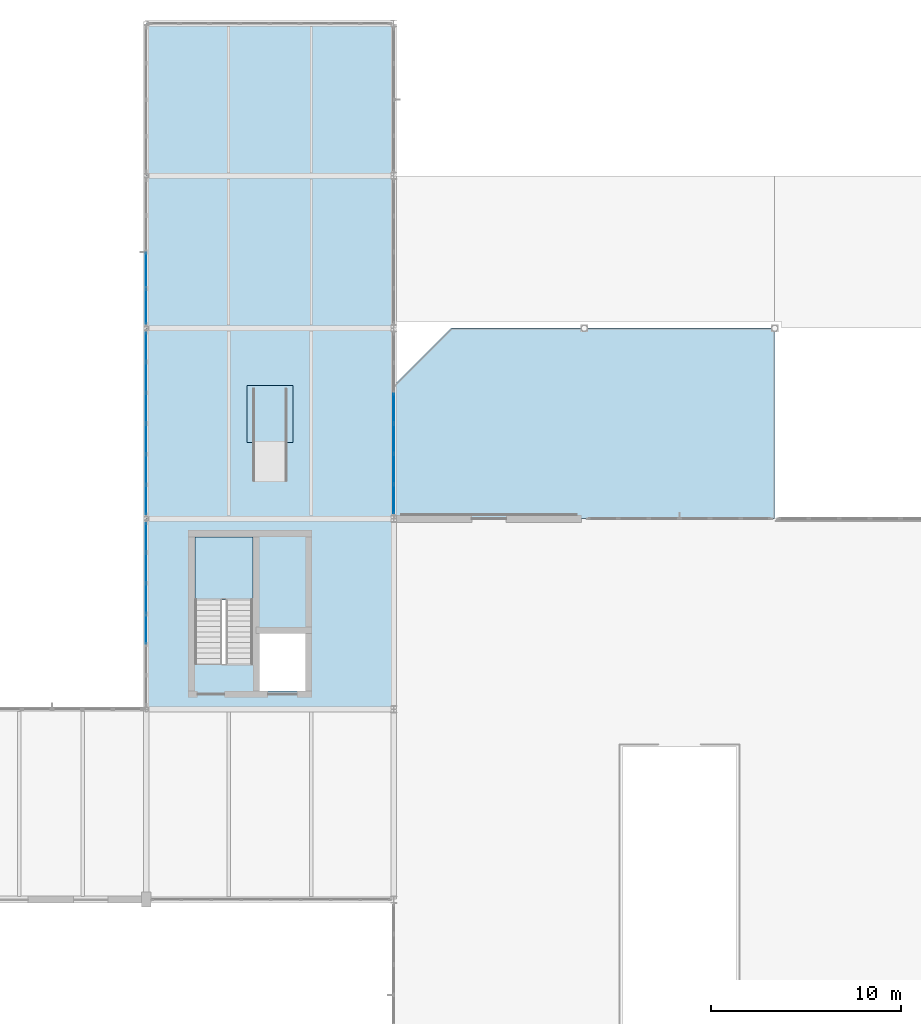
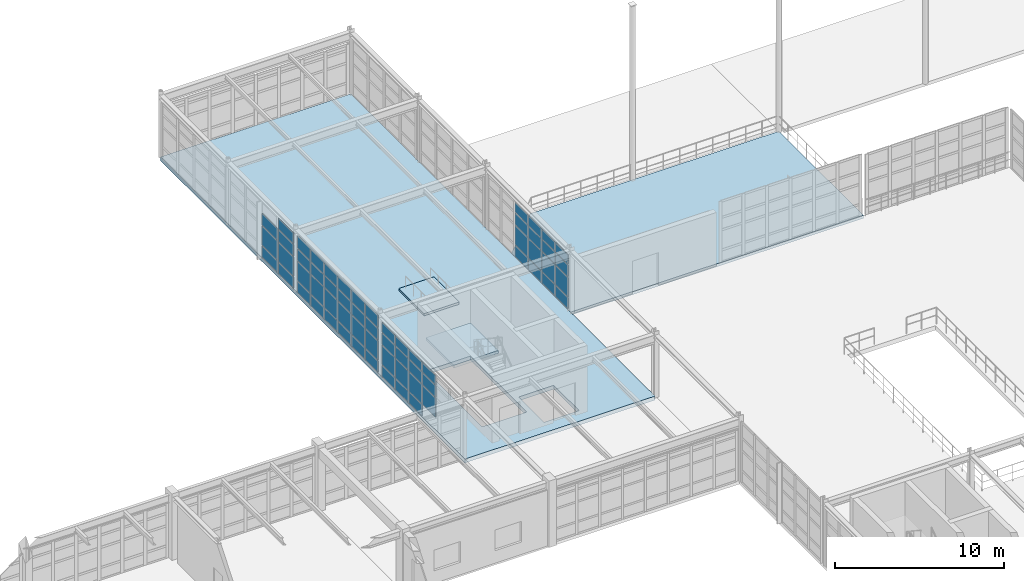
# One storey, part 91 of 139: 62 plates, 4 slabs, 5 elements without a shape of their own.
"""IFC4 building model written with IfcOpenShell, lengths in metres."""

from ifc_helpers import new_model, si_unit, direction, frame, origin, origin_2d, place, context, subcontext, project, spatial, polyline, rectangle, outline, extrude, material, layer, layer_set, type_object, element, aggregate, save


model = new_model("IFC4")

# Units and contexts
model_context = context("Model", 3, precision=1e-05, world=origin(), true_north=direction((0.0, 1.0)))
body_context = subcontext(model_context, "Body", "Model", "MODEL_VIEW")
ifc_project = project(units=[si_unit("LENGTHUNIT", "METRE"), si_unit("AREAUNIT", "SQUARE_METRE"), si_unit("VOLUMEUNIT", "CUBIC_METRE"), si_unit("PLANEANGLEUNIT", "RADIAN"), si_unit("MASSUNIT", "GRAM", prefix="KILO"), si_unit("THERMODYNAMICTEMPERATUREUNIT", "KELVIN"), si_unit("POWERUNIT", "WATT")], contexts=[model_context])

# Site, building, storey
site_placement = place(None, origin())
site = spatial("IfcSite", under=ifc_project, at=site_placement, CompositionType="ELEMENT")
building_placement = place(site_placement, origin())
building = spatial("IfcBuilding", under=site, at=building_placement, Name="Korenveer Ferry Terminal", CompositionType="ELEMENT")
storey_placement = place(building_placement, frame((0.0, 0.0, 5.39990234375)))
storey = spatial("IfcBuildingStorey", under=building, at=storey_placement, Name="L01", CompositionType="ELEMENT", Elevation=5.39990234375)

# Curtain wall, plates
ifc_material_1 = material(Name="Unitised bronze-and-glass curtain wall", Category="glass")
ifc_layer_1 = layer(ifc_material_1, 0.219970703125)
ifc_layer_set_1 = layer_set([ifc_layer_1], Name="Unitised bronze-and-glass curtain wall")
curtain_wall_type_1 = type_object("IfcCurtainWallType", Name="ENV-CW-64", PredefinedType="USERDEFINED", material=ifc_layer_set_1)
curtain_wall_1_placement = place(storey_placement, frame((40.0, 80.16650390625, 0.0)))
curtain_wall_1 = element("IfcCurtainWall", 1, at=curtain_wall_1_placement, inside=storey, type_object=curtain_wall_type_1, Name="Lancet curtain wall CWX-L01-X40-40-Y80-90", ObjectType="UNITISED CURTAIN WALL", PredefinedType="USERDEFINED")
ifc_material_2 = material(Name="Acoustic laminated marine glazing", Category="glass")
ifc_layer_2 = layer(ifc_material_2, 0.035888671875)
ifc_layer_set_2 = layer_set([ifc_layer_2], Name="Acoustic laminated marine glazing")
plate_type = type_object("IfcPlateType", Name="ENV-CWP-GLZ36", PredefinedType="CURTAIN_PANEL", material=ifc_layer_set_2)
plate_1_placement = place(storey_placement, frame((40.0, 84.1943359375, 0.9375), z_axis=(0.0, 0.0, 1.0), x_axis=(0.0, 1.0, 0.0)))
plate_1 = element("IfcPlate", 2, at=plate_1_placement, type_object=plate_type, Name="CW-64 panel 3.2", PredefinedType="CURTAIN_PANEL", context=body_context, shape_type="SweptSolid", body=[
    extrude(rectangle(XDim=1.5361328125, YDim=0.035888671875, at=origin_2d()), origin(), (0.0, 0.0, 1.0), 1.375),
])
plate_2_placement = place(storey_placement, frame((40.0, 84.1943359375, 2.3876953125), z_axis=(0.0, 0.0, 1.0), x_axis=(0.0, 1.0, 0.0)))
plate_2 = element("IfcPlate", 3, at=plate_2_placement, type_object=plate_type, Name="CW-64 panel 3.3", PredefinedType="CURTAIN_PANEL", context=body_context, shape_type="SweptSolid", body=[
    extrude(rectangle(XDim=1.5361328125, YDim=0.035888671875, at=origin_2d()), origin(), (0.0, 0.0, 1.0), 0.824951171875),
])
plate_3_placement = place(storey_placement, frame((40.0, 84.1943359375, 3.28759765625), z_axis=(0.0, 0.0, 1.0), x_axis=(0.0, 1.0, 0.0)))
plate_3 = element("IfcPlate", 4, at=plate_3_placement, type_object=plate_type, Name="CW-64 panel 3.4", PredefinedType="CURTAIN_PANEL", context=body_context, shape_type="SweptSolid", body=[
    extrude(rectangle(XDim=1.5361328125, YDim=0.035888671875, at=origin_2d()), origin(), (0.0, 0.0, 1.0), 0.66748046875),
])
plate_4_placement = place(storey_placement, frame((40.0, 85.8056640625, 0.074951171875), z_axis=(0.0, 0.0, 1.0), x_axis=(0.0, 1.0, 0.0)))
plate_4 = element("IfcPlate", 5, at=plate_4_placement, type_object=plate_type, Name="CW-64 panel 4.1", PredefinedType="CURTAIN_PANEL", context=body_context, shape_type="SweptSolid", body=[
    extrude(rectangle(XDim=1.5361328125, YDim=0.035888671875, at=origin_2d()), origin(), (0.0, 0.0, 1.0), 0.78759765625),
])
plate_5_placement = place(storey_placement, frame((40.0, 85.8056640625, 0.9375), z_axis=(0.0, 0.0, 1.0), x_axis=(0.0, 1.0, 0.0)))
plate_5 = element("IfcPlate", 6, at=plate_5_placement, type_object=plate_type, Name="CW-64 panel 4.2", PredefinedType="CURTAIN_PANEL", context=body_context, shape_type="SweptSolid", body=[
    extrude(rectangle(XDim=1.5361328125, YDim=0.035888671875, at=origin_2d()), origin(), (0.0, 0.0, 1.0), 1.375),
])
plate_6_placement = place(storey_placement, frame((40.0, 85.8056640625, 2.3876953125), z_axis=(0.0, 0.0, 1.0), x_axis=(0.0, 1.0, 0.0)))
plate_6 = element("IfcPlate", 7, at=plate_6_placement, type_object=plate_type, Name="CW-64 panel 4.3", PredefinedType="CURTAIN_PANEL", context=body_context, shape_type="SweptSolid", body=[
    extrude(rectangle(XDim=1.5361328125, YDim=0.035888671875, at=origin_2d()), origin(), (0.0, 0.0, 1.0), 0.824951171875),
])
plate_7_placement = place(storey_placement, frame((40.0, 85.8056640625, 3.28759765625), z_axis=(0.0, 0.0, 1.0), x_axis=(0.0, 1.0, 0.0)))
plate_7 = element("IfcPlate", 8, at=plate_7_placement, type_object=plate_type, Name="CW-64 panel 4.4", PredefinedType="CURTAIN_PANEL", context=body_context, shape_type="SweptSolid", body=[
    extrude(rectangle(XDim=1.5361328125, YDim=0.035888671875, at=origin_2d()), origin(), (0.0, 0.0, 1.0), 0.66748046875),
])
plate_8_placement = place(storey_placement, frame((40.0, 87.416748046875, 0.074951171875), z_axis=(0.0, 0.0, 1.0), x_axis=(0.0, 1.0, 0.0)))
plate_8 = element("IfcPlate", 9, at=plate_8_placement, type_object=plate_type, Name="CW-64 panel 5.1", PredefinedType="CURTAIN_PANEL", context=body_context, shape_type="SweptSolid", body=[
    extrude(rectangle(XDim=1.5361328125, YDim=0.035888671875, at=origin_2d()), origin(), (0.0, 0.0, 1.0), 0.78759765625),
])
plate_9_placement = place(storey_placement, frame((40.0, 87.416748046875, 0.9375), z_axis=(0.0, 0.0, 1.0), x_axis=(0.0, 1.0, 0.0)))
plate_9 = element("IfcPlate", 10, at=plate_9_placement, type_object=plate_type, Name="CW-64 panel 5.2", PredefinedType="CURTAIN_PANEL", context=body_context, shape_type="SweptSolid", body=[
    extrude(rectangle(XDim=1.5361328125, YDim=0.035888671875, at=origin_2d()), origin(), (0.0, 0.0, 1.0), 1.375),
])
plate_10_placement = place(storey_placement, frame((40.0, 87.416748046875, 2.3876953125), z_axis=(0.0, 0.0, 1.0), x_axis=(0.0, 1.0, 0.0)))
plate_10 = element("IfcPlate", 11, at=plate_10_placement, type_object=plate_type, Name="CW-64 panel 5.3", PredefinedType="CURTAIN_PANEL", context=body_context, shape_type="SweptSolid", body=[
    extrude(rectangle(XDim=1.5361328125, YDim=0.035888671875, at=origin_2d()), origin(), (0.0, 0.0, 1.0), 0.824951171875),
])
plate_11_placement = place(storey_placement, frame((40.0, 87.416748046875, 3.28759765625), z_axis=(0.0, 0.0, 1.0), x_axis=(0.0, 1.0, 0.0)))
plate_11 = element("IfcPlate", 12, at=plate_11_placement, type_object=plate_type, Name="CW-64 panel 5.4", PredefinedType="CURTAIN_PANEL", context=body_context, shape_type="SweptSolid", body=[
    extrude(rectangle(XDim=1.5361328125, YDim=0.035888671875, at=origin_2d()), origin(), (0.0, 0.0, 1.0), 0.66748046875),
])
plate_12_placement = place(storey_placement, frame((40.0, 89.00927734375, 0.074951171875), z_axis=(0.0, 0.0, 1.0), x_axis=(0.0, 1.0, 0.0)))
plate_12 = element("IfcPlate", 13, at=plate_12_placement, type_object=plate_type, Name="CW-64 panel 6.1", PredefinedType="CURTAIN_PANEL", context=body_context, shape_type="SweptSolid", body=[
    extrude(rectangle(XDim=1.498779296875, YDim=0.035888671875, at=origin_2d()), origin(), (0.0, 0.0, 1.0), 0.78759765625),
])
plate_13_placement = place(storey_placement, frame((40.0, 89.00927734375, 0.9375), z_axis=(0.0, 0.0, 1.0), x_axis=(0.0, 1.0, 0.0)))
plate_13 = element("IfcPlate", 14, at=plate_13_placement, type_object=plate_type, Name="CW-64 panel 6.2", PredefinedType="CURTAIN_PANEL", context=body_context, shape_type="SweptSolid", body=[
    extrude(rectangle(XDim=1.498779296875, YDim=0.035888671875, at=origin_2d()), origin(), (0.0, 0.0, 1.0), 1.375),
])
plate_14_placement = place(storey_placement, frame((40.0, 89.00927734375, 2.3876953125), z_axis=(0.0, 0.0, 1.0), x_axis=(0.0, 1.0, 0.0)))
plate_14 = element("IfcPlate", 15, at=plate_14_placement, type_object=plate_type, Name="CW-64 panel 6.3", PredefinedType="CURTAIN_PANEL", context=body_context, shape_type="SweptSolid", body=[
    extrude(rectangle(XDim=1.498779296875, YDim=0.035888671875, at=origin_2d()), origin(), (0.0, 0.0, 1.0), 0.824951171875),
])
plate_15_placement = place(storey_placement, frame((40.0, 89.00927734375, 3.28759765625), z_axis=(0.0, 0.0, 1.0), x_axis=(0.0, 1.0, 0.0)))
plate_15 = element("IfcPlate", 16, at=plate_15_placement, type_object=plate_type, Name="CW-64 panel 6.4", PredefinedType="CURTAIN_PANEL", context=body_context, shape_type="SweptSolid", body=[
    extrude(rectangle(XDim=1.498779296875, YDim=0.035888671875, at=origin_2d()), origin(), (0.0, 0.0, 1.0), 0.66748046875),
])
aggregate(curtain_wall_1, [plate_1, plate_2, plate_3, plate_4, plate_5, plate_6, plate_7, plate_8, plate_9, plate_10, plate_11, plate_12, plate_13, plate_14, plate_15])

ifc_layer_3 = layer(ifc_material_1, 0.219970703125)
ifc_layer_set_3 = layer_set([ifc_layer_3], Name="Unitised bronze-and-glass curtain wall")
curtain_wall_type_2 = type_object("IfcCurtainWallType", Name="ENV-CW-65", PredefinedType="USERDEFINED", material=ifc_layer_set_3)
curtain_wall_2_placement = place(storey_placement, frame((40.0, 90.16650390625, 0.0)))
curtain_wall_2 = element("IfcCurtainWall", 17, at=curtain_wall_2_placement, inside=storey, type_object=curtain_wall_type_2, Name="Lancet curtain wall CWX-L01-X40-40-Y90-100", ObjectType="UNITISED CURTAIN WALL", PredefinedType="USERDEFINED")
plate_16_placement = place(storey_placement, frame((40.0, 90.99072265625, 0.074951171875), z_axis=(0.0, 0.0, 1.0), x_axis=(0.0, 1.0, 0.0)))
plate_16 = element("IfcPlate", 18, at=plate_16_placement, type_object=plate_type, Name="CW-65 panel 1.1", PredefinedType="CURTAIN_PANEL", context=body_context, shape_type="SweptSolid", body=[
    extrude(rectangle(XDim=1.498779296875, YDim=0.035888671875, at=origin_2d()), origin(), (0.0, 0.0, 1.0), 0.78759765625),
])
plate_17_placement = place(storey_placement, frame((40.0, 90.99072265625, 0.9375), z_axis=(0.0, 0.0, 1.0), x_axis=(0.0, 1.0, 0.0)))
plate_17 = element("IfcPlate", 19, at=plate_17_placement, type_object=plate_type, Name="CW-65 panel 1.2", PredefinedType="CURTAIN_PANEL", context=body_context, shape_type="SweptSolid", body=[
    extrude(rectangle(XDim=1.498779296875, YDim=0.035888671875, at=origin_2d()), origin(), (0.0, 0.0, 1.0), 1.375),
])
plate_18_placement = place(storey_placement, frame((40.0, 90.99072265625, 2.3876953125), z_axis=(0.0, 0.0, 1.0), x_axis=(0.0, 1.0, 0.0)))
plate_18 = element("IfcPlate", 20, at=plate_18_placement, type_object=plate_type, Name="CW-65 panel 1.3", PredefinedType="CURTAIN_PANEL", context=body_context, shape_type="SweptSolid", body=[
    extrude(rectangle(XDim=1.498779296875, YDim=0.035888671875, at=origin_2d()), origin(), (0.0, 0.0, 1.0), 0.824951171875),
])
plate_19_placement = place(storey_placement, frame((40.0, 90.99072265625, 3.28759765625), z_axis=(0.0, 0.0, 1.0), x_axis=(0.0, 1.0, 0.0)))
plate_19 = element("IfcPlate", 21, at=plate_19_placement, type_object=plate_type, Name="CW-65 panel 1.4", PredefinedType="CURTAIN_PANEL", context=body_context, shape_type="SweptSolid", body=[
    extrude(rectangle(XDim=1.498779296875, YDim=0.035888671875, at=origin_2d()), origin(), (0.0, 0.0, 1.0), 0.867431640625),
])
plate_20_placement = place(storey_placement, frame((40.0, 92.583251953125, 0.074951171875), z_axis=(0.0, 0.0, 1.0), x_axis=(0.0, 1.0, 0.0)))
plate_20 = element("IfcPlate", 22, at=plate_20_placement, type_object=plate_type, Name="CW-65 panel 2.1", PredefinedType="CURTAIN_PANEL", context=body_context, shape_type="SweptSolid", body=[
    extrude(rectangle(XDim=1.5361328125, YDim=0.035888671875, at=origin_2d()), origin(), (0.0, 0.0, 1.0), 0.78759765625),
])
plate_21_placement = place(storey_placement, frame((40.0, 92.583251953125, 0.9375), z_axis=(0.0, 0.0, 1.0), x_axis=(0.0, 1.0, 0.0)))
plate_21 = element("IfcPlate", 23, at=plate_21_placement, type_object=plate_type, Name="CW-65 panel 2.2", PredefinedType="CURTAIN_PANEL", context=body_context, shape_type="SweptSolid", body=[
    extrude(rectangle(XDim=1.5361328125, YDim=0.035888671875, at=origin_2d()), origin(), (0.0, 0.0, 1.0), 1.375),
])
plate_22_placement = place(storey_placement, frame((40.0, 92.583251953125, 2.3876953125), z_axis=(0.0, 0.0, 1.0), x_axis=(0.0, 1.0, 0.0)))
plate_22 = element("IfcPlate", 24, at=plate_22_placement, type_object=plate_type, Name="CW-65 panel 2.3", PredefinedType="CURTAIN_PANEL", context=body_context, shape_type="SweptSolid", body=[
    extrude(rectangle(XDim=1.5361328125, YDim=0.035888671875, at=origin_2d()), origin(), (0.0, 0.0, 1.0), 0.824951171875),
])
plate_23_placement = place(storey_placement, frame((40.0, 92.583251953125, 3.28759765625), z_axis=(0.0, 0.0, 1.0), x_axis=(0.0, 1.0, 0.0)))
plate_23 = element("IfcPlate", 25, at=plate_23_placement, type_object=plate_type, Name="CW-65 panel 2.4", PredefinedType="CURTAIN_PANEL", context=body_context, shape_type="SweptSolid", body=[
    extrude(rectangle(XDim=1.5361328125, YDim=0.035888671875, at=origin_2d()), origin(), (0.0, 0.0, 1.0), 0.867431640625),
])
plate_24_placement = place(storey_placement, frame((40.0, 94.1943359375, 0.074951171875), z_axis=(0.0, 0.0, 1.0), x_axis=(0.0, 1.0, 0.0)))
plate_24 = element("IfcPlate", 26, at=plate_24_placement, type_object=plate_type, Name="CW-65 panel 3.1", PredefinedType="CURTAIN_PANEL", context=body_context, shape_type="SweptSolid", body=[
    extrude(rectangle(XDim=1.5361328125, YDim=0.035888671875, at=origin_2d()), origin(), (0.0, 0.0, 1.0), 0.78759765625),
])
plate_25_placement = place(storey_placement, frame((40.0, 94.1943359375, 0.9375), z_axis=(0.0, 0.0, 1.0), x_axis=(0.0, 1.0, 0.0)))
plate_25 = element("IfcPlate", 27, at=plate_25_placement, type_object=plate_type, Name="CW-65 panel 3.2", PredefinedType="CURTAIN_PANEL", context=body_context, shape_type="SweptSolid", body=[
    extrude(rectangle(XDim=1.5361328125, YDim=0.035888671875, at=origin_2d()), origin(), (0.0, 0.0, 1.0), 1.375),
])
plate_26_placement = place(storey_placement, frame((40.0, 94.1943359375, 2.3876953125), z_axis=(0.0, 0.0, 1.0), x_axis=(0.0, 1.0, 0.0)))
plate_26 = element("IfcPlate", 28, at=plate_26_placement, type_object=plate_type, Name="CW-65 panel 3.3", PredefinedType="CURTAIN_PANEL", context=body_context, shape_type="SweptSolid", body=[
    extrude(rectangle(XDim=1.5361328125, YDim=0.035888671875, at=origin_2d()), origin(), (0.0, 0.0, 1.0), 0.824951171875),
])
plate_27_placement = place(storey_placement, frame((40.0, 94.1943359375, 3.28759765625), z_axis=(0.0, 0.0, 1.0), x_axis=(0.0, 1.0, 0.0)))
plate_27 = element("IfcPlate", 29, at=plate_27_placement, type_object=plate_type, Name="CW-65 panel 3.4", PredefinedType="CURTAIN_PANEL", context=body_context, shape_type="SweptSolid", body=[
    extrude(rectangle(XDim=1.5361328125, YDim=0.035888671875, at=origin_2d()), origin(), (0.0, 0.0, 1.0), 0.867431640625),
])
plate_28_placement = place(storey_placement, frame((40.0, 95.8056640625, 0.074951171875), z_axis=(0.0, 0.0, 1.0), x_axis=(0.0, 1.0, 0.0)))
plate_28 = element("IfcPlate", 30, at=plate_28_placement, type_object=plate_type, Name="CW-65 panel 4.1", PredefinedType="CURTAIN_PANEL", context=body_context, shape_type="SweptSolid", body=[
    extrude(rectangle(XDim=1.5361328125, YDim=0.035888671875, at=origin_2d()), origin(), (0.0, 0.0, 1.0), 0.78759765625),
])
plate_29_placement = place(storey_placement, frame((40.0, 95.8056640625, 0.9375), z_axis=(0.0, 0.0, 1.0), x_axis=(0.0, 1.0, 0.0)))
plate_29 = element("IfcPlate", 31, at=plate_29_placement, type_object=plate_type, Name="CW-65 panel 4.2", PredefinedType="CURTAIN_PANEL", context=body_context, shape_type="SweptSolid", body=[
    extrude(rectangle(XDim=1.5361328125, YDim=0.035888671875, at=origin_2d()), origin(), (0.0, 0.0, 1.0), 1.375),
])
plate_30_placement = place(storey_placement, frame((40.0, 95.8056640625, 2.3876953125), z_axis=(0.0, 0.0, 1.0), x_axis=(0.0, 1.0, 0.0)))
plate_30 = element("IfcPlate", 32, at=plate_30_placement, type_object=plate_type, Name="CW-65 panel 4.3", PredefinedType="CURTAIN_PANEL", context=body_context, shape_type="SweptSolid", body=[
    extrude(rectangle(XDim=1.5361328125, YDim=0.035888671875, at=origin_2d()), origin(), (0.0, 0.0, 1.0), 0.824951171875),
])
plate_31_placement = place(storey_placement, frame((40.0, 95.8056640625, 3.28759765625), z_axis=(0.0, 0.0, 1.0), x_axis=(0.0, 1.0, 0.0)))
plate_31 = element("IfcPlate", 33, at=plate_31_placement, type_object=plate_type, Name="CW-65 panel 4.4", PredefinedType="CURTAIN_PANEL", context=body_context, shape_type="SweptSolid", body=[
    extrude(rectangle(XDim=1.5361328125, YDim=0.035888671875, at=origin_2d()), origin(), (0.0, 0.0, 1.0), 0.867431640625),
])
plate_32_placement = place(storey_placement, frame((40.0, 97.416748046875, 0.074951171875), z_axis=(0.0, 0.0, 1.0), x_axis=(0.0, 1.0, 0.0)))
plate_32 = element("IfcPlate", 34, at=plate_32_placement, type_object=plate_type, Name="CW-65 panel 5.1", PredefinedType="CURTAIN_PANEL", context=body_context, shape_type="SweptSolid", body=[
    extrude(rectangle(XDim=1.5361328125, YDim=0.035888671875, at=origin_2d()), origin(), (0.0, 0.0, 1.0), 0.78759765625),
])
plate_33_placement = place(storey_placement, frame((40.0, 97.416748046875, 0.9375), z_axis=(0.0, 0.0, 1.0), x_axis=(0.0, 1.0, 0.0)))
plate_33 = element("IfcPlate", 35, at=plate_33_placement, type_object=plate_type, Name="CW-65 panel 5.2", PredefinedType="CURTAIN_PANEL", context=body_context, shape_type="SweptSolid", body=[
    extrude(rectangle(XDim=1.5361328125, YDim=0.035888671875, at=origin_2d()), origin(), (0.0, 0.0, 1.0), 1.375),
])
plate_34_placement = place(storey_placement, frame((40.0, 97.416748046875, 2.3876953125), z_axis=(0.0, 0.0, 1.0), x_axis=(0.0, 1.0, 0.0)))
plate_34 = element("IfcPlate", 36, at=plate_34_placement, type_object=plate_type, Name="CW-65 panel 5.3", PredefinedType="CURTAIN_PANEL", context=body_context, shape_type="SweptSolid", body=[
    extrude(rectangle(XDim=1.5361328125, YDim=0.035888671875, at=origin_2d()), origin(), (0.0, 0.0, 1.0), 0.824951171875),
])
plate_35_placement = place(storey_placement, frame((40.0, 97.416748046875, 3.28759765625), z_axis=(0.0, 0.0, 1.0), x_axis=(0.0, 1.0, 0.0)))
plate_35 = element("IfcPlate", 37, at=plate_35_placement, type_object=plate_type, Name="CW-65 panel 5.4", PredefinedType="CURTAIN_PANEL", context=body_context, shape_type="SweptSolid", body=[
    extrude(rectangle(XDim=1.5361328125, YDim=0.035888671875, at=origin_2d()), origin(), (0.0, 0.0, 1.0), 0.867431640625),
])
plate_36_placement = place(storey_placement, frame((40.0, 99.00927734375, 0.074951171875), z_axis=(0.0, 0.0, 1.0), x_axis=(0.0, 1.0, 0.0)))
plate_36 = element("IfcPlate", 38, at=plate_36_placement, type_object=plate_type, Name="CW-65 panel 6.1", PredefinedType="CURTAIN_PANEL", context=body_context, shape_type="SweptSolid", body=[
    extrude(rectangle(XDim=1.498779296875, YDim=0.035888671875, at=origin_2d()), origin(), (0.0, 0.0, 1.0), 0.78759765625),
])
plate_37_placement = place(storey_placement, frame((40.0, 99.00927734375, 0.9375), z_axis=(0.0, 0.0, 1.0), x_axis=(0.0, 1.0, 0.0)))
plate_37 = element("IfcPlate", 39, at=plate_37_placement, type_object=plate_type, Name="CW-65 panel 6.2", PredefinedType="CURTAIN_PANEL", context=body_context, shape_type="SweptSolid", body=[
    extrude(rectangle(XDim=1.498779296875, YDim=0.035888671875, at=origin_2d()), origin(), (0.0, 0.0, 1.0), 1.375),
])
plate_38_placement = place(storey_placement, frame((40.0, 99.00927734375, 2.3876953125), z_axis=(0.0, 0.0, 1.0), x_axis=(0.0, 1.0, 0.0)))
plate_38 = element("IfcPlate", 40, at=plate_38_placement, type_object=plate_type, Name="CW-65 panel 6.3", PredefinedType="CURTAIN_PANEL", context=body_context, shape_type="SweptSolid", body=[
    extrude(rectangle(XDim=1.498779296875, YDim=0.035888671875, at=origin_2d()), origin(), (0.0, 0.0, 1.0), 0.824951171875),
])
plate_39_placement = place(storey_placement, frame((40.0, 99.00927734375, 3.28759765625), z_axis=(0.0, 0.0, 1.0), x_axis=(0.0, 1.0, 0.0)))
plate_39 = element("IfcPlate", 41, at=plate_39_placement, type_object=plate_type, Name="CW-65 panel 6.4", PredefinedType="CURTAIN_PANEL", context=body_context, shape_type="SweptSolid", body=[
    extrude(rectangle(XDim=1.498779296875, YDim=0.035888671875, at=origin_2d()), origin(), (0.0, 0.0, 1.0), 0.867431640625),
])
aggregate(curtain_wall_2, [plate_16, plate_17, plate_18, plate_19, plate_20, plate_21, plate_22, plate_23, plate_24, plate_25, plate_26, plate_27, plate_28, plate_29, plate_30, plate_31, plate_32, plate_33, plate_34, plate_35, plate_36, plate_37, plate_38, plate_39])

ifc_layer_4 = layer(ifc_material_1, 0.219970703125)
ifc_layer_set_4 = layer_set([ifc_layer_4], Name="Unitised bronze-and-glass curtain wall")
curtain_wall_type_3 = type_object("IfcCurtainWallType", Name="ENV-CW-66", PredefinedType="USERDEFINED", material=ifc_layer_set_4)
curtain_wall_3_placement = place(storey_placement, frame((40.0, 100.16650390625, 0.0)))
curtain_wall_3 = element("IfcCurtainWall", 42, at=curtain_wall_3_placement, inside=storey, type_object=curtain_wall_type_3, Name="Lancet curtain wall CWX-L01-X40-40-Y100-108", ObjectType="UNITISED CURTAIN WALL", PredefinedType="USERDEFINED")
plate_40_placement = place(storey_placement, frame((40.0, 101.1435546875, 0.074951171875), z_axis=(0.0, 0.0, 1.0), x_axis=(0.0, 1.0, 0.0)))
plate_40 = element("IfcPlate", 43, at=plate_40_placement, type_object=plate_type, Name="CW-66 panel 1.1", PredefinedType="CURTAIN_PANEL", context=body_context, shape_type="SweptSolid", body=[
    extrude(rectangle(XDim=1.80419921875, YDim=0.035888671875, at=origin_2d()), origin(), (0.0, 0.0, 1.0), 0.78759765625),
])
plate_41_placement = place(storey_placement, frame((40.0, 101.1435546875, 0.9375), z_axis=(0.0, 0.0, 1.0), x_axis=(0.0, 1.0, 0.0)))
plate_41 = element("IfcPlate", 44, at=plate_41_placement, type_object=plate_type, Name="CW-66 panel 1.2", PredefinedType="CURTAIN_PANEL", context=body_context, shape_type="SweptSolid", body=[
    extrude(rectangle(XDim=1.80419921875, YDim=0.035888671875, at=origin_2d()), origin(), (0.0, 0.0, 1.0), 1.375),
])
plate_42_placement = place(storey_placement, frame((40.0, 101.1435546875, 2.3876953125), z_axis=(0.0, 0.0, 1.0), x_axis=(0.0, 1.0, 0.0)))
plate_42 = element("IfcPlate", 45, at=plate_42_placement, type_object=plate_type, Name="CW-66 panel 1.3", PredefinedType="CURTAIN_PANEL", context=body_context, shape_type="SweptSolid", body=[
    extrude(rectangle(XDim=1.80419921875, YDim=0.035888671875, at=origin_2d()), origin(), (0.0, 0.0, 1.0), 0.824951171875),
])
plate_43_placement = place(storey_placement, frame((40.0, 101.1435546875, 3.28759765625), z_axis=(0.0, 0.0, 1.0), x_axis=(0.0, 1.0, 0.0)))
plate_43 = element("IfcPlate", 46, at=plate_43_placement, type_object=plate_type, Name="CW-66 panel 1.4", PredefinedType="CURTAIN_PANEL", context=body_context, shape_type="SweptSolid", body=[
    extrude(rectangle(XDim=1.80419921875, YDim=0.035888671875, at=origin_2d()), origin(), (0.0, 0.0, 1.0), 0.767578125),
])
plate_44_placement = place(storey_placement, frame((40.0, 103.04150390625, 0.074951171875), z_axis=(0.0, 0.0, 1.0), x_axis=(0.0, 1.0, 0.0)))
plate_44 = element("IfcPlate", 47, at=plate_44_placement, type_object=plate_type, Name="CW-66 panel 2.1", PredefinedType="CURTAIN_PANEL", context=body_context, shape_type="SweptSolid", body=[
    extrude(rectangle(XDim=1.841796875, YDim=0.035888671875, at=origin_2d()), origin(), (0.0, 0.0, 1.0), 0.78759765625),
])
plate_45_placement = place(storey_placement, frame((40.0, 103.04150390625, 0.9375), z_axis=(0.0, 0.0, 1.0), x_axis=(0.0, 1.0, 0.0)))
plate_45 = element("IfcPlate", 48, at=plate_45_placement, type_object=plate_type, Name="CW-66 panel 2.2", PredefinedType="CURTAIN_PANEL", context=body_context, shape_type="SweptSolid", body=[
    extrude(rectangle(XDim=1.841796875, YDim=0.035888671875, at=origin_2d()), origin(), (0.0, 0.0, 1.0), 1.375),
])
plate_46_placement = place(storey_placement, frame((40.0, 103.04150390625, 2.3876953125), z_axis=(0.0, 0.0, 1.0), x_axis=(0.0, 1.0, 0.0)))
plate_46 = element("IfcPlate", 49, at=plate_46_placement, type_object=plate_type, Name="CW-66 panel 2.3", PredefinedType="CURTAIN_PANEL", context=body_context, shape_type="SweptSolid", body=[
    extrude(rectangle(XDim=1.841796875, YDim=0.035888671875, at=origin_2d()), origin(), (0.0, 0.0, 1.0), 0.824951171875),
])
aggregate(curtain_wall_3, [plate_40, plate_41, plate_42, plate_43, plate_44, plate_45, plate_46])

ifc_layer_5 = layer(ifc_material_1, 0.219970703125)
ifc_layer_set_5 = layer_set([ifc_layer_5], Name="Unitised bronze-and-glass curtain wall")
curtain_wall_type_4 = type_object("IfcCurtainWallType", Name="ENV-CW-70", PredefinedType="USERDEFINED", material=ifc_layer_set_5)
curtain_wall_4_placement = place(storey_placement, frame((53.0, 99.7900390625, 0.0)))
curtain_wall_4 = element("IfcCurtainWall", 50, at=curtain_wall_4_placement, inside=storey, type_object=curtain_wall_type_4, Name="Lancet curtain wall CWX-L01-X53-53-Y90-100", ObjectType="UNITISED CURTAIN WALL", PredefinedType="USERDEFINED")
plate_47_placement = place(storey_placement, frame((53.0, 95.79833984375, 0.074951171875), z_axis=(0.0, 0.0, 1.0), x_axis=(0.0, -1.0, 0.0)))
plate_47 = element("IfcPlate", 51, at=plate_47_placement, type_object=plate_type, Name="CW-70 panel 3.1", PredefinedType="CURTAIN_PANEL", context=body_context, shape_type="SweptSolid", body=[
    extrude(rectangle(XDim=1.521728515625, YDim=0.035888671875, at=origin_2d()), origin(), (0.0, 0.0, 1.0), 0.78759765625),
])
plate_48_placement = place(storey_placement, frame((53.0, 95.79833984375, 0.9375), z_axis=(0.0, 0.0, 1.0), x_axis=(0.0, -1.0, 0.0)))
plate_48 = element("IfcPlate", 52, at=plate_48_placement, type_object=plate_type, Name="CW-70 panel 3.2", PredefinedType="CURTAIN_PANEL", context=body_context, shape_type="SweptSolid", body=[
    extrude(rectangle(XDim=1.521728515625, YDim=0.035888671875, at=origin_2d()), origin(), (0.0, 0.0, 1.0), 1.375),
])
plate_49_placement = place(storey_placement, frame((53.0, 95.79833984375, 2.3876953125), z_axis=(0.0, 0.0, 1.0), x_axis=(0.0, -1.0, 0.0)))
plate_49 = element("IfcPlate", 53, at=plate_49_placement, type_object=plate_type, Name="CW-70 panel 3.3", PredefinedType="CURTAIN_PANEL", context=body_context, shape_type="SweptSolid", body=[
    extrude(rectangle(XDim=1.521728515625, YDim=0.035888671875, at=origin_2d()), origin(), (0.0, 0.0, 1.0), 0.824951171875),
])
plate_50_placement = place(storey_placement, frame((53.0, 95.79833984375, 3.28759765625), z_axis=(0.0, 0.0, 1.0), x_axis=(0.0, -1.0, 0.0)))
plate_50 = element("IfcPlate", 54, at=plate_50_placement, type_object=plate_type, Name="CW-70 panel 3.4", PredefinedType="CURTAIN_PANEL", context=body_context, shape_type="SweptSolid", body=[
    extrude(rectangle(XDim=1.521728515625, YDim=0.035888671875, at=origin_2d()), origin(), (0.0, 0.0, 1.0), 0.66748046875),
])
plate_51_placement = place(storey_placement, frame((53.0, 94.20166015625, 0.074951171875), z_axis=(0.0, 0.0, 1.0), x_axis=(0.0, -1.0, 0.0)))
plate_51 = element("IfcPlate", 55, at=plate_51_placement, type_object=plate_type, Name="CW-70 panel 4.1", PredefinedType="CURTAIN_PANEL", context=body_context, shape_type="SweptSolid", body=[
    extrude(rectangle(XDim=1.521728515625, YDim=0.035888671875, at=origin_2d()), origin(), (0.0, 0.0, 1.0), 0.78759765625),
])
plate_52_placement = place(storey_placement, frame((53.0, 94.20166015625, 0.9375), z_axis=(0.0, 0.0, 1.0), x_axis=(0.0, -1.0, 0.0)))
plate_52 = element("IfcPlate", 56, at=plate_52_placement, type_object=plate_type, Name="CW-70 panel 4.2", PredefinedType="CURTAIN_PANEL", context=body_context, shape_type="SweptSolid", body=[
    extrude(rectangle(XDim=1.521728515625, YDim=0.035888671875, at=origin_2d()), origin(), (0.0, 0.0, 1.0), 1.375),
])
plate_53_placement = place(storey_placement, frame((53.0, 94.20166015625, 2.3876953125), z_axis=(0.0, 0.0, 1.0), x_axis=(0.0, -1.0, 0.0)))
plate_53 = element("IfcPlate", 57, at=plate_53_placement, type_object=plate_type, Name="CW-70 panel 4.3", PredefinedType="CURTAIN_PANEL", context=body_context, shape_type="SweptSolid", body=[
    extrude(rectangle(XDim=1.521728515625, YDim=0.035888671875, at=origin_2d()), origin(), (0.0, 0.0, 1.0), 0.824951171875),
])
plate_54_placement = place(storey_placement, frame((53.0, 94.20166015625, 3.28759765625), z_axis=(0.0, 0.0, 1.0), x_axis=(0.0, -1.0, 0.0)))
plate_54 = element("IfcPlate", 58, at=plate_54_placement, type_object=plate_type, Name="CW-70 panel 4.4", PredefinedType="CURTAIN_PANEL", context=body_context, shape_type="SweptSolid", body=[
    extrude(rectangle(XDim=1.521728515625, YDim=0.035888671875, at=origin_2d()), origin(), (0.0, 0.0, 1.0), 0.66748046875),
])
plate_55_placement = place(storey_placement, frame((53.0, 92.60498046875, 0.074951171875), z_axis=(0.0, 0.0, 1.0), x_axis=(0.0, -1.0, 0.0)))
plate_55 = element("IfcPlate", 59, at=plate_55_placement, type_object=plate_type, Name="CW-70 panel 5.1", PredefinedType="CURTAIN_PANEL", context=body_context, shape_type="SweptSolid", body=[
    extrude(rectangle(XDim=1.521728515625, YDim=0.035888671875, at=origin_2d()), origin(), (0.0, 0.0, 1.0), 0.78759765625),
])
plate_56_placement = place(storey_placement, frame((53.0, 92.60498046875, 0.9375), z_axis=(0.0, 0.0, 1.0), x_axis=(0.0, -1.0, 0.0)))
plate_56 = element("IfcPlate", 60, at=plate_56_placement, type_object=plate_type, Name="CW-70 panel 5.2", PredefinedType="CURTAIN_PANEL", context=body_context, shape_type="SweptSolid", body=[
    extrude(rectangle(XDim=1.521728515625, YDim=0.035888671875, at=origin_2d()), origin(), (0.0, 0.0, 1.0), 1.375),
])
plate_57_placement = place(storey_placement, frame((53.0, 92.60498046875, 2.3876953125), z_axis=(0.0, 0.0, 1.0), x_axis=(0.0, -1.0, 0.0)))
plate_57 = element("IfcPlate", 61, at=plate_57_placement, type_object=plate_type, Name="CW-70 panel 5.3", PredefinedType="CURTAIN_PANEL", context=body_context, shape_type="SweptSolid", body=[
    extrude(rectangle(XDim=1.521728515625, YDim=0.035888671875, at=origin_2d()), origin(), (0.0, 0.0, 1.0), 0.824951171875),
])
plate_58_placement = place(storey_placement, frame((53.0, 92.60498046875, 3.28759765625), z_axis=(0.0, 0.0, 1.0), x_axis=(0.0, -1.0, 0.0)))
plate_58 = element("IfcPlate", 62, at=plate_58_placement, type_object=plate_type, Name="CW-70 panel 5.4", PredefinedType="CURTAIN_PANEL", context=body_context, shape_type="SweptSolid", body=[
    extrude(rectangle(XDim=1.521728515625, YDim=0.035888671875, at=origin_2d()), origin(), (0.0, 0.0, 1.0), 0.66748046875),
])
plate_59_placement = place(storey_placement, frame((53.0, 91.027099609375, 0.074951171875), z_axis=(0.0, 0.0, 1.0), x_axis=(0.0, -1.0, 0.0)))
plate_59 = element("IfcPlate", 63, at=plate_59_placement, type_object=plate_type, Name="CW-70 panel 6.1", PredefinedType="CURTAIN_PANEL", context=body_context, shape_type="SweptSolid", body=[
    extrude(rectangle(XDim=1.484130859375, YDim=0.035888671875, at=origin_2d()), origin(), (0.0, 0.0, 1.0), 0.78759765625),
])
plate_60_placement = place(storey_placement, frame((53.0, 91.027099609375, 0.9375), z_axis=(0.0, 0.0, 1.0), x_axis=(0.0, -1.0, 0.0)))
plate_60 = element("IfcPlate", 64, at=plate_60_placement, type_object=plate_type, Name="CW-70 panel 6.2", PredefinedType="CURTAIN_PANEL", context=body_context, shape_type="SweptSolid", body=[
    extrude(rectangle(XDim=1.484130859375, YDim=0.035888671875, at=origin_2d()), origin(), (0.0, 0.0, 1.0), 1.375),
])
plate_61_placement = place(storey_placement, frame((53.0, 91.027099609375, 2.3876953125), z_axis=(0.0, 0.0, 1.0), x_axis=(0.0, -1.0, 0.0)))
plate_61 = element("IfcPlate", 65, at=plate_61_placement, type_object=plate_type, Name="CW-70 panel 6.3", PredefinedType="CURTAIN_PANEL", context=body_context, shape_type="SweptSolid", body=[
    extrude(rectangle(XDim=1.484130859375, YDim=0.035888671875, at=origin_2d()), origin(), (0.0, 0.0, 1.0), 0.824951171875),
])
plate_62_placement = place(storey_placement, frame((53.0, 91.027099609375, 3.28759765625), z_axis=(0.0, 0.0, 1.0), x_axis=(0.0, -1.0, 0.0)))
plate_62 = element("IfcPlate", 66, at=plate_62_placement, type_object=plate_type, Name="CW-70 panel 6.4", PredefinedType="CURTAIN_PANEL", context=body_context, shape_type="SweptSolid", body=[
    extrude(rectangle(XDim=1.484130859375, YDim=0.035888671875, at=origin_2d()), origin(), (0.0, 0.0, 1.0), 0.66748046875),
])
aggregate(curtain_wall_4, [plate_47, plate_48, plate_49, plate_50, plate_51, plate_52, plate_53, plate_54, plate_55, plate_56, plate_57, plate_58, plate_59, plate_60, plate_61, plate_62])

# Stair, slab
ifc_material_3 = material(Name="Concrete C40/50", Category="concrete")
stair_type = type_object("IfcStairType", Name="INT-ST-08", PredefinedType="HALF_TURN_STAIR", material=ifc_material_3)
stair_placement = place(storey_placement, frame((44.889892578125, 82.3798828125, 0.0)))
stair = element("IfcStair", 67, at=stair_placement, inside=storey, type_object=stair_type, Name="L01 West Berth Pier Core K7", PredefinedType="HALF_TURN_STAIR")
ifc_layer_6 = layer(ifc_material_3, 0.199951171875)
ifc_layer_set_6 = layer_set([ifc_layer_6], Name="Concrete C40/50")
slab_type_1 = type_object("IfcSlabType", Name="INT-SL-LAND200", PredefinedType="LANDING", material=ifc_layer_set_6)
slab_1_placement = place(storey_placement, frame((0.0, 0.0, 2.2001953125)))
slab_1 = element("IfcSlab", 68, at=slab_1_placement, type_object=slab_type_1, Name="ST07 landing 1", PredefinedType="LANDING", context=body_context, shape_type="SweptSolid", body=[
    extrude(outline(polyline([(45.60009765625, 85.739990234375), (45.60009765625, 89.0400390625), (42.56005859375, 89.0400390625), (42.56005859375, 85.739990234375), (45.60009765625, 85.739990234375)])), origin(), (0.0, 0.0, 1.0), 0.199951171875),
])
aggregate(stair, [slab_1])

# Slabs
ifc_layer_7 = layer(ifc_material_3, 0.219970703125)
ifc_layer_set_7 = layer_set([ifc_layer_7], Name="Concrete C40/50")
slab_type_2 = type_object("IfcSlabType", Name="STR-SL-DECK220", PredefinedType="FLOOR", material=ifc_layer_set_7)
slab_2_placement = place(storey_placement, frame((0.0, 0.0, -0.219970703125)))
element("IfcSlab", 69, at=slab_2_placement, inside=storey, type_object=slab_type_2, Name="West Prow Waterfront Terrace", PredefinedType="FLOOR", context=body_context, shape_type="SweptSolid", body=[
    extrude(outline(polyline([(53.0, 90.0), (73.0, 90.0), (73.0, 100.0), (56.0, 100.0), (53.0, 97.0), (53.0, 90.0)])), origin(), (0.0, 0.0, 1.0), 0.219970703125),
])
ifc_material_4 = material(Name="Concrete C35/45", Category="concrete")
ifc_layer_8 = layer(ifc_material_4, 0.280029296875)
ifc_layer_set_8 = layer_set([ifc_layer_8], Name="Concrete C35/45")
slab_type_3 = type_object("IfcSlabType", Name="STR-SL-FLR280", PredefinedType="FLOOR", material=ifc_layer_set_8)
slab_3_placement = place(storey_placement, frame((0.0, 0.0, -0.27978515625)))
element("IfcSlab", 70, at=slab_3_placement, inside=storey, type_object=slab_type_3, Name="Floor slab SL-L01-PW2", PredefinedType="FLOOR", context=body_context, shape_type="SweptSolid", body=[
    extrude(outline(polyline([(40.0, 80.0), (53.0, 80.0), (53.0, 116.0), (40.0, 116.0), (40.0, 80.0)]), holes=[polyline([(45.60009765625, 82.3798828125), (45.60009765625, 89.0400390625), (42.56005859375, 89.0400390625), (42.56005859375, 82.3798828125), (45.60009765625, 82.3798828125)]), polyline([(45.9599609375, 80.9599609375), (48.360107421875, 80.9599609375), (48.360107421875, 83.9599609375), (45.9599609375, 83.9599609375), (45.9599609375, 80.9599609375)])]), origin(), (0.0, 0.0, 1.0), 0.27978515625),
])
ifc_layer_9 = layer(ifc_material_4, 0.159912109375)
ifc_layer_set_9 = layer_set([ifc_layer_9], Name="Concrete C35/45")
slab_type_4 = type_object("IfcSlabType", Name="STR-SL-WING160", PredefinedType="ROOF", material=ifc_layer_set_9)
slab_4_placement = place(storey_placement, origin())
element("IfcSlab", 71, at=slab_4_placement, inside=storey, type_object=slab_type_4, Name="West Berth Gate Accessible Ramp boarding plinth", PredefinedType="ROOF", context=body_context, shape_type="SweptSolid", body=[
    extrude(outline(polyline([(45.300048828125, 94.0), (47.699951171875, 94.0), (47.699951171875, 97.0), (45.300048828125, 97.0), (45.300048828125, 94.0)])), origin(), (0.0, 0.0, 1.0), 0.16015625),
])

save(model, "model.ifc")
